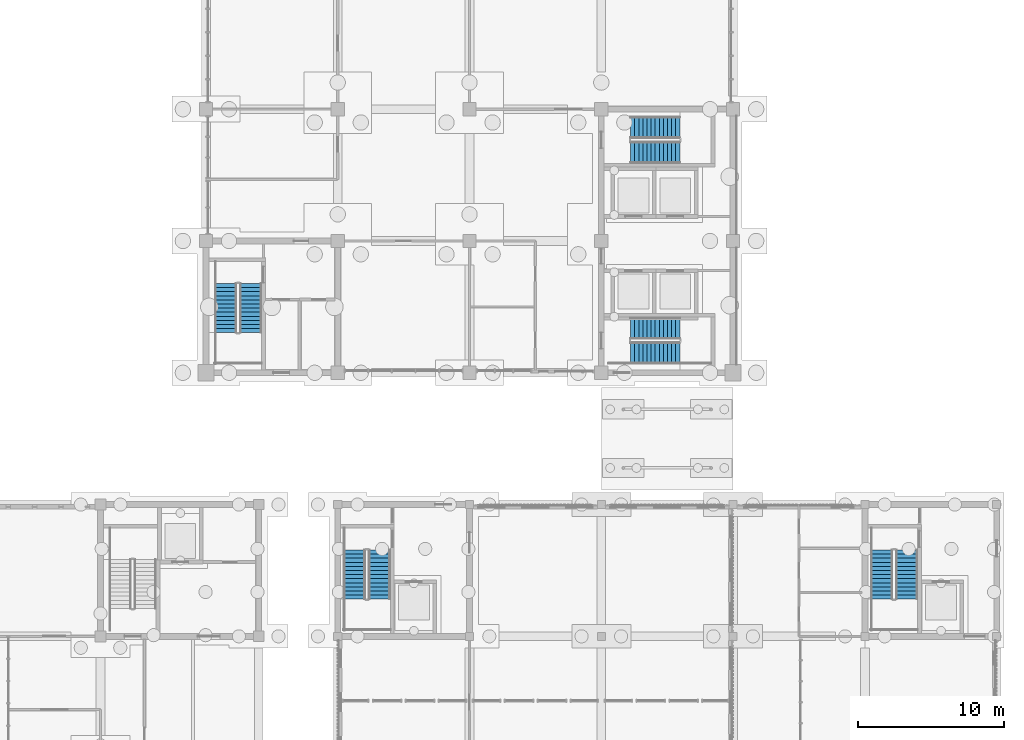
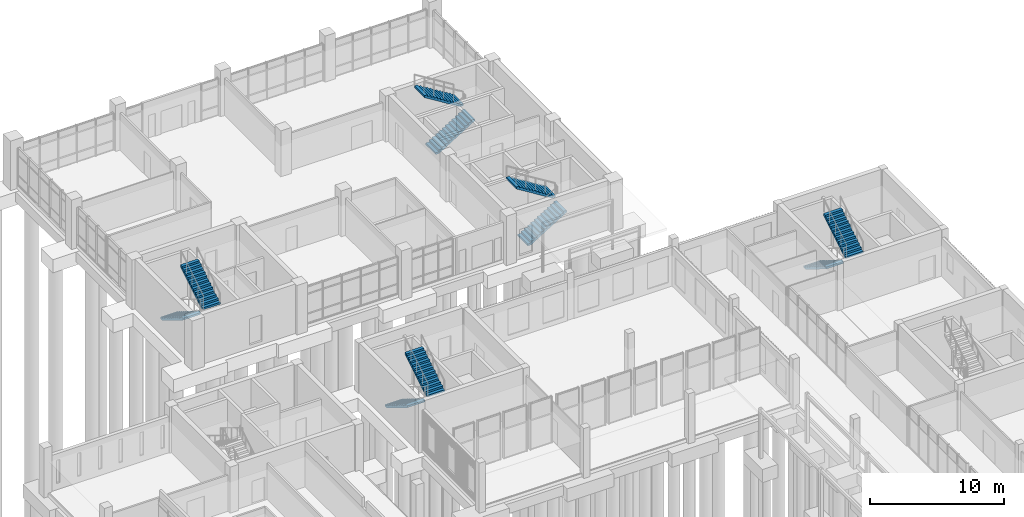
# One storey, part 82 of 106: 10 stair flights, 5 elements without a shape of their own.
"""IFC4 building model written with IfcOpenShell, lengths in metres."""

from ifc_helpers import new_model, si_unit, direction, frame, origin, place, context, subcontext, project, spatial, polyline, outline, extrude, material, type_object, element, aggregate, save


model = new_model("IFC4")

# Units and contexts
model_context = context("Model", 3, precision=1e-05, world=origin(), true_north=direction((0.0, 1.0)))
body_context = subcontext(model_context, "Body", "Model", "MODEL_VIEW")
ifc_project = project(units=[si_unit("LENGTHUNIT", "METRE"), si_unit("AREAUNIT", "SQUARE_METRE"), si_unit("VOLUMEUNIT", "CUBIC_METRE"), si_unit("PLANEANGLEUNIT", "RADIAN"), si_unit("MASSUNIT", "GRAM", prefix="KILO")], contexts=[model_context])

# Site, building, storey
site_placement = place(None, origin())
site = spatial("IfcSite", under=ifc_project, at=site_placement, CompositionType="ELEMENT")
building_placement = place(site_placement, origin())
building = spatial("IfcBuilding", under=site, at=building_placement, Name="Merrow Basin Faculty of Sciences", CompositionType="ELEMENT")
storey_placement = place(building_placement, origin())
storey = spatial("IfcBuildingStorey", under=building, at=storey_placement, Name="L00", CompositionType="ELEMENT", Elevation=0.0)

# Stair, stair flights
ifc_material_1 = material(Name="Concrete C40/50", Category="concrete")
stair_type = type_object("IfcStairType", Name="Concrete dog-leg stair Concrete C40/50", PredefinedType="HALF_TURN_STAIR", material=ifc_material_1)
stair_1_placement = place(storey_placement, origin())
stair_1 = element("IfcStair", 1, at=stair_1_placement, inside=storey, type_object=stair_type, Name="L00 Exit stair W", PredefinedType="HALF_TURN_STAIR")
ifc_material_2 = material(Name="Concrete C40/50", Category="concrete")
stair_flight_type = type_object("IfcStairFlightType", Name="Concrete stair flight Concrete C40/50", PredefinedType="STRAIGHT", material=ifc_material_2)
stair_flight_1_placement = place(storey_placement, frame((28.14990234375, 129.89990234375, 0.0), z_axis=(0.0, 0.0, 1.0), x_axis=(0.0, -1.0, 0.0)))
stair_flight_1 = element("IfcStairFlight", 2, at=stair_flight_1_placement, type_object=stair_flight_type, Name="ST-V2-W flight 1", NumberOfRisers=13, NumberOfTreads=12, PredefinedType="STRAIGHT", RiserHeight=0.173076923, TreadLength=0.28, context=body_context, shape_type="SweptSolid", body=[
    extrude(outline(polyline([(0.0, 0.0), (0.0, 0.173095703125), (0.280029296875, 0.173095703125), (0.280029296875, 0.34619140625), (0.56005859375, 0.34619140625), (0.56005859375, 0.519287109375), (0.840087890625, 0.519287109375), (0.840087890625, 0.6923828125), (1.1201171875, 0.6923828125), (1.1201171875, 0.865478515625), (1.39990234375, 0.865478515625), (1.39990234375, 1.03857421875), (1.679931640625, 1.03857421875), (1.679931640625, 1.21142578125), (1.9599609375, 1.21142578125), (1.9599609375, 1.384521484375), (2.239990234375, 1.384521484375), (2.239990234375, 1.5576171875), (2.52001953125, 1.5576171875), (2.52001953125, 1.730712890625), (2.800048828125, 1.730712890625), (2.800048828125, 1.90380859375), (3.080078125, 1.90380859375), (3.080078125, 2.076904296875), (3.360107421875, 2.076904296875), (3.360107421875, 2.25), (3.360107421875, 1.900634765625), (0.28515625, 0.0), (0.0, 0.0)])), frame((0.0, 0.75, 0.0), z_axis=(0.0, -1.0, 0.0), x_axis=(1.0, 0.0, 0.0)), (0.0, 0.0, 1.0), 1.5),
])
stair_flight_2_placement = place(storey_placement, frame((29.85009765625, 126.5400390625, 2.25), z_axis=(0.0, 0.0, 1.0), x_axis=(0.0, 1.0, 0.0)))
stair_flight_2 = element("IfcStairFlight", 3, at=stair_flight_2_placement, type_object=stair_flight_type, Name="ST-V2-W flight 2", NumberOfRisers=13, NumberOfTreads=12, PredefinedType="STRAIGHT", RiserHeight=0.173076923, TreadLength=0.28, context=body_context, shape_type="SweptSolid", body=[
    extrude(outline(polyline([(0.0, 0.0), (0.0, 0.173095703125), (0.280029296875, 0.173095703125), (0.280029296875, 0.34619140625), (0.56005859375, 0.34619140625), (0.56005859375, 0.519287109375), (0.840087890625, 0.519287109375), (0.840087890625, 0.6923828125), (1.1201171875, 0.6923828125), (1.1201171875, 0.865478515625), (1.39990234375, 0.865478515625), (1.39990234375, 1.03857421875), (1.679931640625, 1.03857421875), (1.679931640625, 1.21142578125), (1.9599609375, 1.21142578125), (1.9599609375, 1.384521484375), (2.239990234375, 1.384521484375), (2.239990234375, 1.5576171875), (2.52001953125, 1.5576171875), (2.52001953125, 1.730712890625), (2.800048828125, 1.730712890625), (2.800048828125, 1.90380859375), (3.080078125, 1.90380859375), (3.080078125, 2.076904296875), (3.360107421875, 2.076904296875), (3.360107421875, 2.25), (3.360107421875, 1.900634765625), (0.28515625, 0.0), (0.0, 0.0)])), frame((0.0, 0.75, 0.0), z_axis=(0.0, -1.0, 0.0), x_axis=(1.0, 0.0, 0.0)), (0.0, 0.0, 1.0), 1.5),
])
aggregate(stair_1, [stair_flight_1, stair_flight_2])

stair_2_placement = place(storey_placement, origin())
stair_2 = element("IfcStair", 4, at=stair_2_placement, inside=storey, type_object=stair_type, Name="L00 Exit stair N", PredefinedType="HALF_TURN_STAIR")
stair_flight_3_placement = place(storey_placement, frame((64.14990234375, 129.89990234375, 0.0), z_axis=(0.0, 0.0, 1.0), x_axis=(0.0, -1.0, 0.0)))
stair_flight_3 = element("IfcStairFlight", 5, at=stair_flight_3_placement, type_object=stair_flight_type, Name="ST-V2-N flight 1", NumberOfRisers=13, NumberOfTreads=12, PredefinedType="STRAIGHT", RiserHeight=0.173076923, TreadLength=0.28, context=body_context, shape_type="SweptSolid", body=[
    extrude(outline(polyline([(0.0, 0.0), (0.0, 0.173095703125), (0.280029296875, 0.173095703125), (0.280029296875, 0.34619140625), (0.56005859375, 0.34619140625), (0.56005859375, 0.519287109375), (0.840087890625, 0.519287109375), (0.840087890625, 0.6923828125), (1.1201171875, 0.6923828125), (1.1201171875, 0.865478515625), (1.39990234375, 0.865478515625), (1.39990234375, 1.03857421875), (1.679931640625, 1.03857421875), (1.679931640625, 1.21142578125), (1.9599609375, 1.21142578125), (1.9599609375, 1.384521484375), (2.239990234375, 1.384521484375), (2.239990234375, 1.5576171875), (2.52001953125, 1.5576171875), (2.52001953125, 1.730712890625), (2.800048828125, 1.730712890625), (2.800048828125, 1.90380859375), (3.080078125, 1.90380859375), (3.080078125, 2.076904296875), (3.360107421875, 2.076904296875), (3.360107421875, 2.25), (3.360107421875, 1.900634765625), (0.28515625, 0.0), (0.0, 0.0)])), frame((0.0, 0.75, 0.0), z_axis=(0.0, -1.0, 0.0), x_axis=(1.0, 0.0, 0.0)), (0.0, 0.0, 1.0), 1.5),
])
stair_flight_4_placement = place(storey_placement, frame((65.85009765625, 126.5400390625, 2.25), z_axis=(0.0, 0.0, 1.0), x_axis=(0.0, 1.0, 0.0)))
stair_flight_4 = element("IfcStairFlight", 6, at=stair_flight_4_placement, type_object=stair_flight_type, Name="ST-V2-N flight 2", NumberOfRisers=13, NumberOfTreads=12, PredefinedType="STRAIGHT", RiserHeight=0.173076923, TreadLength=0.28, context=body_context, shape_type="SweptSolid", body=[
    extrude(outline(polyline([(0.0, 0.0), (0.0, 0.173095703125), (0.280029296875, 0.173095703125), (0.280029296875, 0.34619140625), (0.56005859375, 0.34619140625), (0.56005859375, 0.519287109375), (0.840087890625, 0.519287109375), (0.840087890625, 0.6923828125), (1.1201171875, 0.6923828125), (1.1201171875, 0.865478515625), (1.39990234375, 0.865478515625), (1.39990234375, 1.03857421875), (1.679931640625, 1.03857421875), (1.679931640625, 1.21142578125), (1.9599609375, 1.21142578125), (1.9599609375, 1.384521484375), (2.239990234375, 1.384521484375), (2.239990234375, 1.5576171875), (2.52001953125, 1.5576171875), (2.52001953125, 1.730712890625), (2.800048828125, 1.730712890625), (2.800048828125, 1.90380859375), (3.080078125, 1.90380859375), (3.080078125, 2.076904296875), (3.360107421875, 2.076904296875), (3.360107421875, 2.25), (3.360107421875, 1.900634765625), (0.28515625, 0.0), (0.0, 0.0)])), frame((0.0, 0.75, 0.0), z_axis=(0.0, -1.0, 0.0), x_axis=(1.0, 0.0, 0.0)), (0.0, 0.0, 1.0), 1.5),
])
aggregate(stair_2, [stair_flight_3, stair_flight_4])

stair_3_placement = place(storey_placement, origin())
stair_3 = element("IfcStair", 7, at=stair_3_placement, inside=storey, type_object=stair_type, Name="L00 Exit stair S", PredefinedType="HALF_TURN_STAIR")
stair_flight_5_placement = place(storey_placement, frame((47.0, 157.050048828125, 0.0), z_axis=(0.0, 0.0, 1.0), x_axis=(1.0, 0.0, 0.0)))
stair_flight_5 = element("IfcStairFlight", 8, at=stair_flight_5_placement, type_object=stair_flight_type, Name="ST-V5-S flight 1", NumberOfRisers=13, NumberOfTreads=12, PredefinedType="STRAIGHT", RiserHeight=0.173076923, TreadLength=0.28, context=body_context, shape_type="SweptSolid", body=[
    extrude(outline(polyline([(0.0, 0.0), (0.0, 0.173095703125), (0.280029296875, 0.173095703125), (0.280029296875, 0.34619140625), (0.56005859375, 0.34619140625), (0.56005859375, 0.519287109375), (0.840087890625, 0.519287109375), (0.840087890625, 0.6923828125), (1.1201171875, 0.6923828125), (1.1201171875, 0.865478515625), (1.39990234375, 0.865478515625), (1.39990234375, 1.03857421875), (1.679931640625, 1.03857421875), (1.679931640625, 1.21142578125), (1.9599609375, 1.21142578125), (1.9599609375, 1.384521484375), (2.239990234375, 1.384521484375), (2.239990234375, 1.5576171875), (2.52001953125, 1.5576171875), (2.52001953125, 1.730712890625), (2.800048828125, 1.730712890625), (2.800048828125, 1.90380859375), (3.080078125, 1.90380859375), (3.080078125, 2.076904296875), (3.360107421875, 2.076904296875), (3.360107421875, 2.25), (3.360107421875, 1.900634765625), (0.28515625, 0.0), (0.0, 0.0)])), frame((0.0, 0.75, 0.0), z_axis=(0.0, -1.0, 0.0), x_axis=(1.0, 0.0, 0.0)), (0.0, 0.0, 1.0), 1.5),
])
stair_flight_6_placement = place(storey_placement, frame((50.360107421875, 158.75, 2.25), z_axis=(0.0, 0.0, 1.0), x_axis=(-1.0, 0.0, 0.0)))
stair_flight_6 = element("IfcStairFlight", 9, at=stair_flight_6_placement, type_object=stair_flight_type, Name="ST-V5-S flight 2", NumberOfRisers=13, NumberOfTreads=12, PredefinedType="STRAIGHT", RiserHeight=0.173076923, TreadLength=0.28, context=body_context, shape_type="SweptSolid", body=[
    extrude(outline(polyline([(0.0, 0.0), (0.0, 0.173095703125), (0.280029296875, 0.173095703125), (0.280029296875, 0.34619140625), (0.56005859375, 0.34619140625), (0.56005859375, 0.519287109375), (0.840087890625, 0.519287109375), (0.840087890625, 0.6923828125), (1.1201171875, 0.6923828125), (1.1201171875, 0.865478515625), (1.39990234375, 0.865478515625), (1.39990234375, 1.03857421875), (1.679931640625, 1.03857421875), (1.679931640625, 1.21142578125), (1.9599609375, 1.21142578125), (1.9599609375, 1.384521484375), (2.239990234375, 1.384521484375), (2.239990234375, 1.5576171875), (2.52001953125, 1.5576171875), (2.52001953125, 1.730712890625), (2.800048828125, 1.730712890625), (2.800048828125, 1.90380859375), (3.080078125, 1.90380859375), (3.080078125, 2.076904296875), (3.360107421875, 2.076904296875), (3.360107421875, 2.25), (3.360107421875, 1.900634765625), (0.28515625, 0.0), (0.0, 0.0)])), frame((0.0, 0.75, 0.0), z_axis=(0.0, -1.0, 0.0), x_axis=(1.0, 0.0, 0.0)), (0.0, 0.0, 1.0), 1.5),
])
aggregate(stair_3, [stair_flight_5, stair_flight_6])

stair_4_placement = place(storey_placement, origin())
stair_4 = element("IfcStair", 10, at=stair_4_placement, inside=storey, type_object=stair_type, Name="L00 Exit stair N", PredefinedType="HALF_TURN_STAIR")
stair_flight_7_placement = place(storey_placement, frame((47.0, 143.35009765625, 0.0), z_axis=(0.0, 0.0, 1.0), x_axis=(1.0, 0.0, 0.0)))
stair_flight_7 = element("IfcStairFlight", 11, at=stair_flight_7_placement, type_object=stair_flight_type, Name="ST-V5-N flight 1", NumberOfRisers=13, NumberOfTreads=12, PredefinedType="STRAIGHT", RiserHeight=0.173076923, TreadLength=0.28, context=body_context, shape_type="SweptSolid", body=[
    extrude(outline(polyline([(0.0, 0.0), (0.0, 0.173095703125), (0.280029296875, 0.173095703125), (0.280029296875, 0.34619140625), (0.56005859375, 0.34619140625), (0.56005859375, 0.519287109375), (0.840087890625, 0.519287109375), (0.840087890625, 0.6923828125), (1.1201171875, 0.6923828125), (1.1201171875, 0.865478515625), (1.39990234375, 0.865478515625), (1.39990234375, 1.03857421875), (1.679931640625, 1.03857421875), (1.679931640625, 1.21142578125), (1.9599609375, 1.21142578125), (1.9599609375, 1.384521484375), (2.239990234375, 1.384521484375), (2.239990234375, 1.5576171875), (2.52001953125, 1.5576171875), (2.52001953125, 1.730712890625), (2.800048828125, 1.730712890625), (2.800048828125, 1.90380859375), (3.080078125, 1.90380859375), (3.080078125, 2.076904296875), (3.360107421875, 2.076904296875), (3.360107421875, 2.25), (3.360107421875, 1.900634765625), (0.28515625, 0.0), (0.0, 0.0)])), frame((0.0, 0.75, 0.0), z_axis=(0.0, -1.0, 0.0), x_axis=(1.0, 0.0, 0.0)), (0.0, 0.0, 1.0), 1.5),
])
stair_flight_8_placement = place(storey_placement, frame((50.360107421875, 145.050048828125, 2.25), z_axis=(0.0, 0.0, 1.0), x_axis=(-1.0, 0.0, 0.0)))
stair_flight_8 = element("IfcStairFlight", 12, at=stair_flight_8_placement, type_object=stair_flight_type, Name="ST-V5-N flight 2", NumberOfRisers=13, NumberOfTreads=12, PredefinedType="STRAIGHT", RiserHeight=0.173076923, TreadLength=0.28, context=body_context, shape_type="SweptSolid", body=[
    extrude(outline(polyline([(0.0, 0.0), (0.0, 0.173095703125), (0.280029296875, 0.173095703125), (0.280029296875, 0.34619140625), (0.56005859375, 0.34619140625), (0.56005859375, 0.519287109375), (0.840087890625, 0.519287109375), (0.840087890625, 0.6923828125), (1.1201171875, 0.6923828125), (1.1201171875, 0.865478515625), (1.39990234375, 0.865478515625), (1.39990234375, 1.03857421875), (1.679931640625, 1.03857421875), (1.679931640625, 1.21142578125), (1.9599609375, 1.21142578125), (1.9599609375, 1.384521484375), (2.239990234375, 1.384521484375), (2.239990234375, 1.5576171875), (2.52001953125, 1.5576171875), (2.52001953125, 1.730712890625), (2.800048828125, 1.730712890625), (2.800048828125, 1.90380859375), (3.080078125, 1.90380859375), (3.080078125, 2.076904296875), (3.360107421875, 2.076904296875), (3.360107421875, 2.25), (3.360107421875, 1.900634765625), (0.28515625, 0.0), (0.0, 0.0)])), frame((0.0, 0.75, 0.0), z_axis=(0.0, -1.0, 0.0), x_axis=(1.0, 0.0, 0.0)), (0.0, 0.0, 1.0), 1.5),
])
aggregate(stair_4, [stair_flight_7, stair_flight_8])

stair_5_placement = place(storey_placement, origin())
stair_5 = element("IfcStair", 13, at=stair_5_placement, inside=storey, type_object=stair_type, Name="L00 Exit stair W", PredefinedType="HALF_TURN_STAIR")
stair_flight_9_placement = place(storey_placement, frame((19.35009765625, 148.10009765625, 0.0), z_axis=(0.0, 0.0, 1.0), x_axis=(0.0, -1.0, 0.0)))
stair_flight_9 = element("IfcStairFlight", 14, at=stair_flight_9_placement, type_object=stair_flight_type, Name="ST-V5-W flight 1", NumberOfRisers=13, NumberOfTreads=12, PredefinedType="STRAIGHT", RiserHeight=0.173076923, TreadLength=0.28, context=body_context, shape_type="SweptSolid", body=[
    extrude(outline(polyline([(0.0, 0.0), (0.0, 0.173095703125), (0.280029296875, 0.173095703125), (0.280029296875, 0.34619140625), (0.56005859375, 0.34619140625), (0.56005859375, 0.519287109375), (0.840087890625, 0.519287109375), (0.840087890625, 0.6923828125), (1.1201171875, 0.6923828125), (1.1201171875, 0.865478515625), (1.39990234375, 0.865478515625), (1.39990234375, 1.03857421875), (1.679931640625, 1.03857421875), (1.679931640625, 1.21142578125), (1.9599609375, 1.21142578125), (1.9599609375, 1.384521484375), (2.239990234375, 1.384521484375), (2.239990234375, 1.5576171875), (2.52001953125, 1.5576171875), (2.52001953125, 1.730712890625), (2.800048828125, 1.730712890625), (2.800048828125, 1.90380859375), (3.080078125, 1.90380859375), (3.080078125, 2.076904296875), (3.360107421875, 2.076904296875), (3.360107421875, 2.25), (3.360107421875, 1.900634765625), (0.28515625, 0.0), (0.0, 0.0)])), frame((0.0, 0.75, 0.0), z_axis=(0.0, -1.0, 0.0), x_axis=(1.0, 0.0, 0.0)), (0.0, 0.0, 1.0), 1.5),
])
stair_flight_10_placement = place(storey_placement, frame((21.050048828125, 144.739990234375, 2.25), z_axis=(0.0, 0.0, 1.0), x_axis=(0.0, 1.0, 0.0)))
stair_flight_10 = element("IfcStairFlight", 15, at=stair_flight_10_placement, type_object=stair_flight_type, Name="ST-V5-W flight 2", NumberOfRisers=13, NumberOfTreads=12, PredefinedType="STRAIGHT", RiserHeight=0.173076923, TreadLength=0.28, context=body_context, shape_type="SweptSolid", body=[
    extrude(outline(polyline([(0.0, 0.0), (0.0, 0.173095703125), (0.280029296875, 0.173095703125), (0.280029296875, 0.34619140625), (0.56005859375, 0.34619140625), (0.56005859375, 0.519287109375), (0.840087890625, 0.519287109375), (0.840087890625, 0.6923828125), (1.1201171875, 0.6923828125), (1.1201171875, 0.865478515625), (1.39990234375, 0.865478515625), (1.39990234375, 1.03857421875), (1.679931640625, 1.03857421875), (1.679931640625, 1.21142578125), (1.9599609375, 1.21142578125), (1.9599609375, 1.384521484375), (2.239990234375, 1.384521484375), (2.239990234375, 1.5576171875), (2.52001953125, 1.5576171875), (2.52001953125, 1.730712890625), (2.800048828125, 1.730712890625), (2.800048828125, 1.90380859375), (3.080078125, 1.90380859375), (3.080078125, 2.076904296875), (3.360107421875, 2.076904296875), (3.360107421875, 2.25), (3.360107421875, 1.900634765625), (0.28515625, 0.0), (0.0, 0.0)])), frame((0.0, 0.75, 0.0), z_axis=(0.0, -1.0, 0.0), x_axis=(1.0, 0.0, 0.0)), (0.0, 0.0, 1.0), 1.5),
])
aggregate(stair_5, [stair_flight_9, stair_flight_10])

save(model, "model.ifc")
